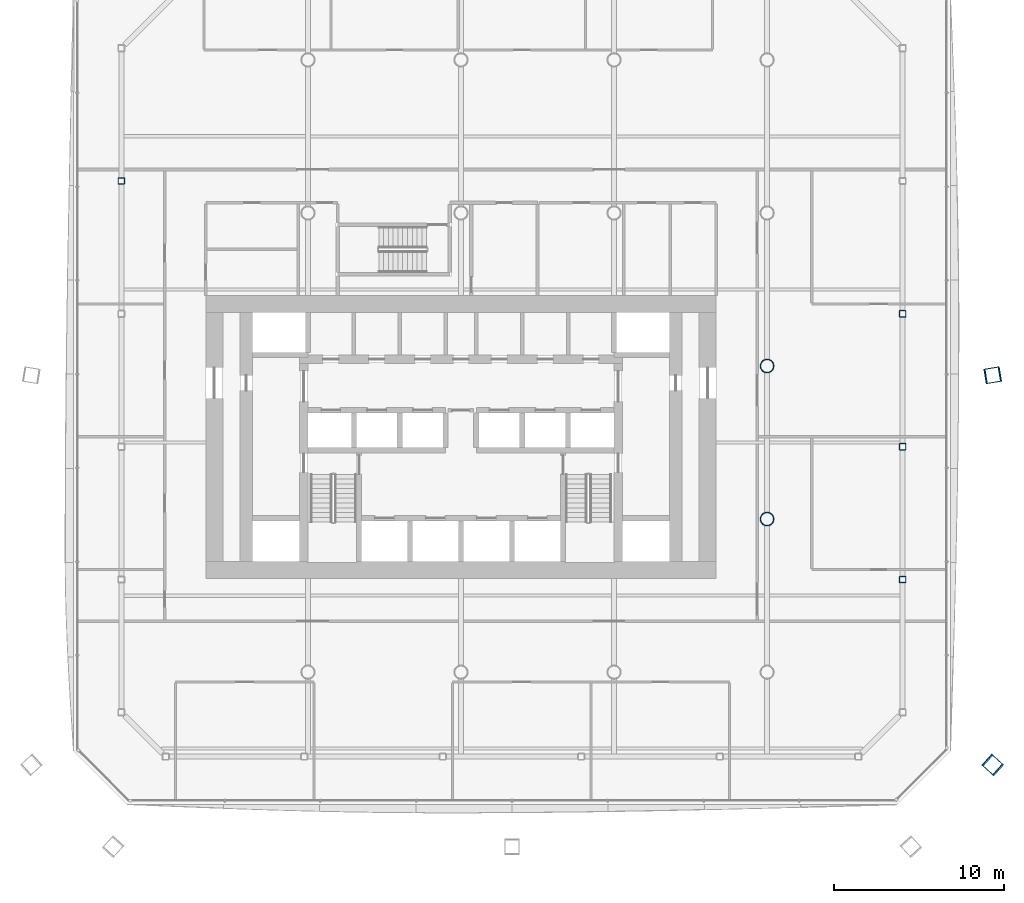
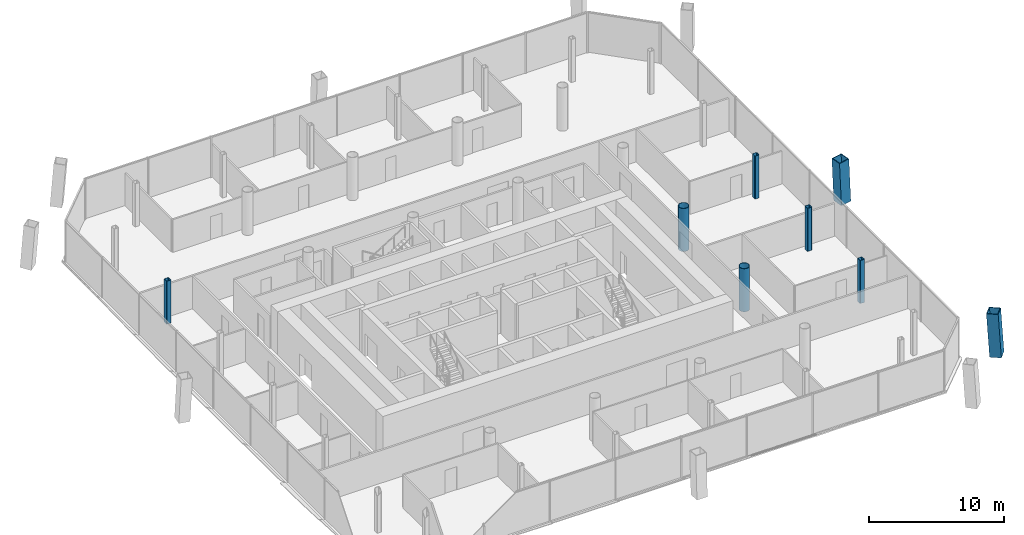
# One storey, part 2 of 20: 8 columns.
"""IFC4 building model written with IfcOpenShell, lengths in metres."""

from ifc_helpers import new_model, si_unit, direction, frame, origin, origin_2d, place, context, subcontext, project, spatial, hollow_rectangle, hollow_circle, extrude, material, material_profile, profile_set, type_object, element, save


model = new_model("IFC4")

# Units and contexts
model_context = context("Model", 3, precision=1e-05, world=origin(), true_north=direction((0.0, 1.0)))
body_context = subcontext(model_context, "Body", "Model", "MODEL_VIEW")
ifc_project = project(units=[si_unit("LENGTHUNIT", "METRE"), si_unit("AREAUNIT", "SQUARE_METRE"), si_unit("VOLUMEUNIT", "CUBIC_METRE"), si_unit("PLANEANGLEUNIT", "RADIAN"), si_unit("MASSUNIT", "GRAM", prefix="KILO")], contexts=[model_context])

# Site, building, storey
site_placement = place(None, origin())
site = spatial("IfcSite", under=ifc_project, at=site_placement, CompositionType="ELEMENT")
building_placement = place(site_placement, origin())
building = spatial("IfcBuilding", under=site, at=building_placement, Name="Tskaro Facet Tower", CompositionType="ELEMENT")
storey_placement = place(building_placement, frame((0.0, 0.0, 69.89990234375)))
storey = spatial("IfcBuildingStorey", under=building, at=storey_placement, Name="L16", CompositionType="ELEMENT", Elevation=69.89990234375)

# Columns
ifc_material_1 = material(Name="Steel S460M", Category="steel")
ifc_material_profile_1 = material_profile(ifc_material_1, hollow_rectangle(XDim=0.89990234375, YDim=0.89990234375, WallThickness=0.054931640625, at=origin_2d()), Name="BOX 900x900x55")
ifc_profile_set_1 = profile_set([ifc_material_profile_1], Name="Steel S460M")
column_type_1 = type_object("IfcColumnType", Name="BOX 900x900x55 mega column", PredefinedType="COLUMN", material=ifc_profile_set_1)
column_1_placement = place(storey_placement, frame((31.2939453125, -23.48193359375, 0.0), z_axis=(-0.046792030588, 0.042481416288, 0.99800091941), x_axis=(-0.672180631251, -0.740387195305, 0.0)))
element("IfcColumn", 1, at=column_1_placement, inside=storey, type_object=column_type_1, Name="BOX 900x900x55 MC04/2", PredefinedType="COLUMN", context=body_context, shape_type="SweptSolid", body=[
    extrude(hollow_rectangle(XDim=0.89990234375, YDim=0.89990234375, WallThickness=0.054931640625, at=origin_2d()), origin(), (0.0, 0.0, 1.0), 3.907958984375),
])
column_2_placement = place(storey_placement, frame((31.2939453125, -0.5380859375, 0.0), z_axis=(-0.046832924798, -0.007690854139, 0.99887312904), x_axis=(0.162048444398, -0.986782803695, 0.0)))
element("IfcColumn", 2, at=column_2_placement, inside=storey, type_object=column_type_1, Name="BOX 900x900x55 MC05/2", PredefinedType="COLUMN", context=body_context, shape_type="SweptSolid", body=[
    extrude(hollow_rectangle(XDim=0.89990234375, YDim=0.89990234375, WallThickness=0.054931640625, at=origin_2d()), origin(), (0.0, 0.0, 1.0), 3.904541015625),
])
ifc_material_2 = material(Name="Steel S355J2H", Category="steel")
ifc_material_profile_2 = material_profile(ifc_material_2, hollow_circle(Radius=0.406494140625, WallThickness=0.035888671875, at=origin_2d()), Name="CHS 812.8x36")
ifc_profile_set_2 = profile_set([ifc_material_profile_2], Name="Steel S355J2H")
column_type_2 = type_object("IfcColumnType", Name="CHS 812.8x36 interior column", PredefinedType="COLUMN", material=ifc_profile_set_2)
for number, where, z_axis, x_axis, name in (
    (3, (18.0, -9.0, 0.0), (0.0, 0.0, 1.0), (1.0, 0.0, 0.0), "CHS 812.8x36 C6C/2"),
    (4, (18.0, 0.0, 0.0), (0.0, 0.0, 1.0), (1.0, 0.0, 0.0), "CHS 812.8x36 C6D/2"),
):
    element("IfcColumn", number, at=place(storey_placement, frame(where, z_axis=z_axis, x_axis=x_axis)), inside=storey, type_object=column_type_2, Name=name, PredefinedType="COLUMN", context=body_context, shape_type="SweptSolid", body=[
        extrude(hollow_circle(Radius=0.406494140625, WallThickness=0.035888671875, at=origin_2d()), origin(), (0.0, 0.0, 1.0), 3.900146484375),
    ])
ifc_material_profile_3 = material_profile(ifc_material_2, hollow_rectangle(XDim=0.39990234375, YDim=0.39990234375, WallThickness=0.02490234375, InnerFilletRadius=0.03759765625, OuterFilletRadius=0.0625, at=origin_2d()), Name="SHS 400x400x25")
ifc_profile_set_3 = profile_set([ifc_material_profile_3], Name="Steel S355J2H")
column_type_3 = type_object("IfcColumnType", Name="SHS 400x400x25 ring column", PredefinedType="COLUMN", material=ifc_profile_set_3)
for number, where, z_axis, x_axis, name in (
    (5, (25.965087890625, -12.552978515625, 0.0), (0.0, 0.0, 1.0), (1.0, 0.0, 0.0), "SHS 400x400x25 RE-2/2"),
    (6, (25.965087890625, -4.741943359375, 0.0), (0.0, 0.0, 1.0), (1.0, 0.0, 0.0), "SHS 400x400x25 RE-3/2"),
    (7, (25.965087890625, 3.068115234375, 0.0), (0.0, 0.0, 1.0), (1.0, 0.0, 0.0), "SHS 400x400x25 RE-4/2"),
    (8, (-19.965087890625, 10.87890625, 0.0), (0.0, 0.0, 1.0), (1.0, 0.0, 0.0), "SHS 400x400x25 RW-2/2"),
):
    element("IfcColumn", number, at=place(storey_placement, frame(where, z_axis=z_axis, x_axis=x_axis)), inside=storey, type_object=column_type_3, Name=name, PredefinedType="COLUMN", context=body_context, shape_type="SweptSolid", body=[
        extrude(hollow_rectangle(XDim=0.39990234375, YDim=0.39990234375, WallThickness=0.02490234375, InnerFilletRadius=0.03759765625, OuterFilletRadius=0.0625, at=origin_2d()), origin(), (0.0, 0.0, 1.0), 3.900146484375),
    ])

save(model, "model.ifc")
